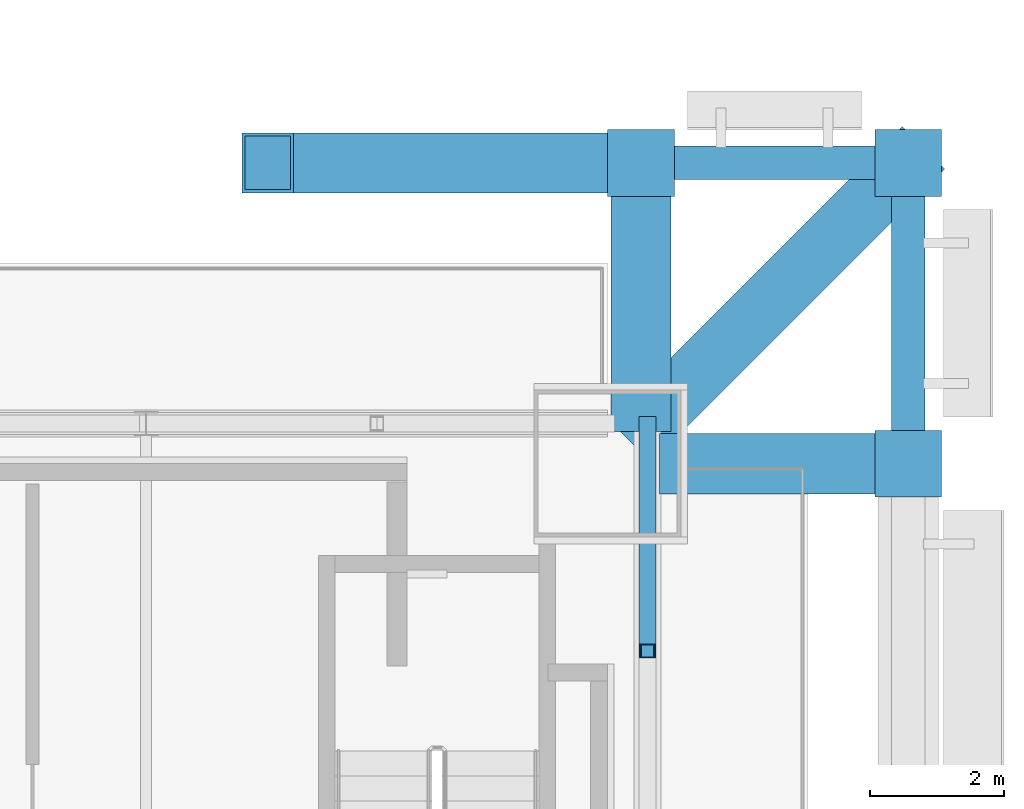
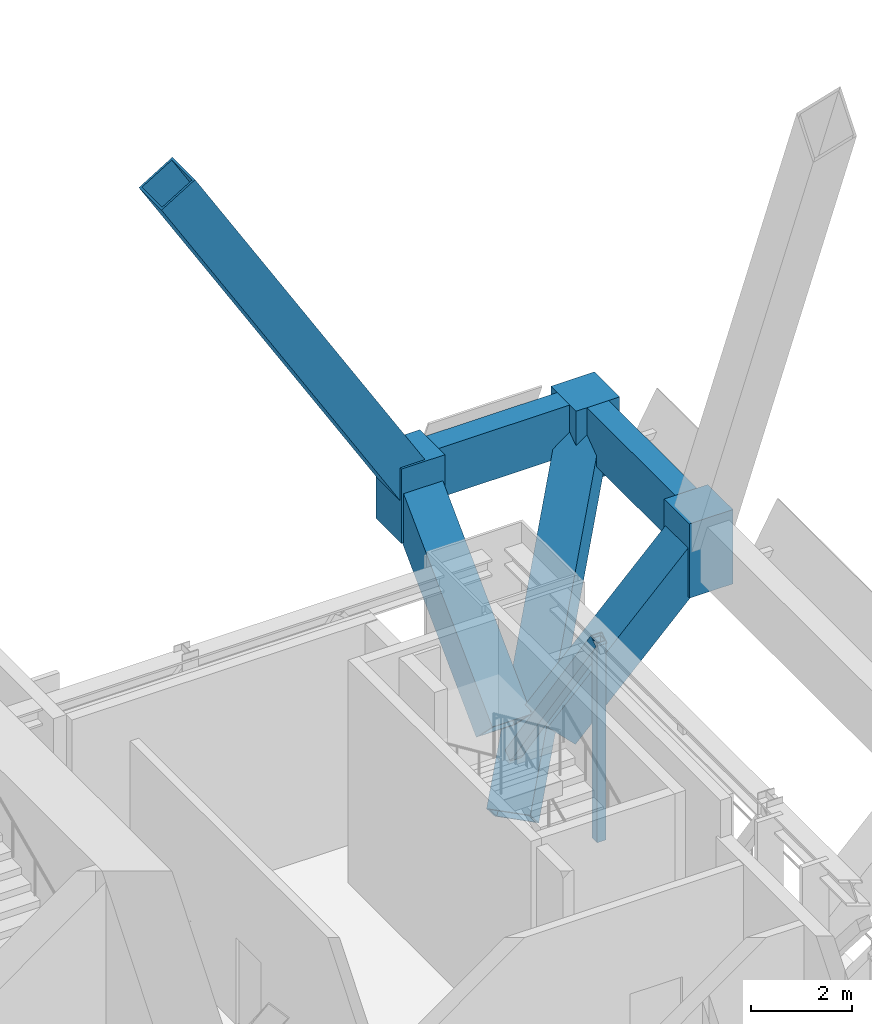
# One storey, part 19 of 30: 9 members, 2 beams.
"""IFC4 building model written with IfcOpenShell, lengths in metres."""

from ifc_helpers import new_model, si_unit, direction, frame, origin, origin_2d, place, context, subcontext, project, spatial, rectangle, hollow_rectangle, extrude, material, material_profile, profile_set, type_object, element, save


model = new_model("IFC4")

# Units and contexts
model_context = context("Model", 3, precision=1e-05, world=origin(), true_north=direction((0.0, 1.0)))
body_context = subcontext(model_context, "Body", "Model", "MODEL_VIEW")
ifc_project = project(units=[si_unit("LENGTHUNIT", "METRE"), si_unit("AREAUNIT", "SQUARE_METRE"), si_unit("VOLUMEUNIT", "CUBIC_METRE"), si_unit("PLANEANGLEUNIT", "RADIAN"), si_unit("MASSUNIT", "GRAM", prefix="KILO")], contexts=[model_context])

# Site, building, storey
site_placement = place(None, origin())
site = spatial("IfcSite", under=ifc_project, at=site_placement, CompositionType="ELEMENT")
building_placement = place(site_placement, origin())
building = spatial("IfcBuilding", under=site, at=building_placement, Name="Bicima Exchange Tower", CompositionType="ELEMENT")
storey_placement = place(building_placement, frame((0.0, 0.0, 287.60009765625)))
storey = spatial("IfcBuildingStorey", under=building, at=storey_placement, Name="L65", CompositionType="ELEMENT", Elevation=287.60009765625)

# Beams
ifc_material_1 = material(Name="Steel ASTM A572 Gr 50", Category="steel")
ifc_material_profile_1 = material_profile(ifc_material_1, hollow_rectangle(XDim=0.5, YDim=1.199951171875, WallThickness=0.0400390625, at=origin_2d()))
ifc_profile_set_1 = profile_set([ifc_material_profile_1], Name="Steel ASTM A572 Gr 50")
beam_type = type_object("IfcBeamType", Name="Belt girder BOX 500x1200x40", PredefinedType="BEAM", material=ifc_profile_set_1)
beam_1_placement = place(storey_placement, frame((37.5, -3.0, 4.64990234375), z_axis=(0.0, 1.0, 0.0), x_axis=(-1.0, 0.0, 0.0)))
element("IfcBeam", 1, at=beam_1_placement, inside=storey, type_object=beam_type, Name="Belt girder", PredefinedType="BEAM", context=body_context, shape_type="SweptSolid", body=[
    extrude(hollow_rectangle(XDim=0.5, YDim=1.199951171875, WallThickness=0.0400390625, at=origin_2d()), origin(), (0.0, 0.0, 1.0), 4.5),
])
beam_2_placement = place(storey_placement, frame((37.5, 1.5, 4.64990234375), z_axis=(-1.0, 0.0, 0.0), x_axis=(0.0, -1.0, 0.0)))
element("IfcBeam", 2, at=beam_2_placement, inside=storey, type_object=beam_type, Name="Belt girder", PredefinedType="BEAM", context=body_context, shape_type="SweptSolid", body=[
    extrude(hollow_rectangle(XDim=0.5, YDim=1.199951171875, WallThickness=0.0400390625, at=origin_2d()), origin(), (0.0, 0.0, 1.0), 4.0),
])

# Members
ifc_material_profile_2 = material_profile(ifc_material_1, hollow_rectangle(XDim=0.25390625, YDim=0.25390625, WallThickness=0.01171875, at=origin_2d()))
ifc_profile_set_2 = profile_set([ifc_material_profile_2], Name="Steel ASTM A572 Gr 50")
member_type_1 = type_object("IfcMemberType", Name="Belt truss diagonal HSS10x10x1/2", PredefinedType="STRUT", material=ifc_profile_set_2)
member_1_placement = place(storey_placement, frame((33.60009765625, -2.39990234375, 0.208251953125), z_axis=(0.0, -0.575376736325, 0.817888507864), x_axis=(1.0, 0.0, 0.0)))
element("IfcMember", 3, at=member_1_placement, inside=storey, type_object=member_type_1, Name="Truss diagonal", PredefinedType="STRUT", context=body_context, shape_type="SweptSolid", body=[
    extrude(hollow_rectangle(XDim=0.25390625, YDim=0.25390625, WallThickness=0.01171875, at=origin_2d()), origin(), (0.0, 0.0, 1.0), 5.909423828125),
])
ifc_material_profile_3 = material_profile(ifc_material_1, hollow_rectangle(XDim=0.203125, YDim=0.203125, WallThickness=0.01171875, at=origin_2d()))
ifc_profile_set_3 = profile_set([ifc_material_profile_3], Name="Steel ASTM A572 Gr 50")
member_type_2 = type_object("IfcMemberType", Name="Belt truss post HSS8x8x1/2", PredefinedType="POST", material=ifc_profile_set_3)
member_2_placement = place(storey_placement, frame((33.60009765625, -5.800048828125, 0.208251953125), z_axis=(0.0, 0.0, 1.0), x_axis=(1.0, 0.0, 0.0)))
element("IfcMember", 4, at=member_2_placement, inside=storey, type_object=member_type_2, Name="Truss post", PredefinedType="POST", context=body_context, shape_type="SweptSolid", body=[
    extrude(hollow_rectangle(XDim=0.203125, YDim=0.203125, WallThickness=0.01171875, at=origin_2d()), origin(), (0.0, 0.0, 1.0), 4.833251953125),
])
ifc_material_profile_4 = material_profile(ifc_material_1, hollow_rectangle(XDim=0.89990234375, YDim=0.89990234375, WallThickness=0.050048828125, at=origin_2d()))
ifc_profile_set_4 = profile_set([ifc_material_profile_4], Name="Steel ASTM A572 Gr 50")
member_type_3 = type_object("IfcMemberType", Name="Exo mega brace BOX 900x900x50", PredefinedType="BRACE", material=ifc_profile_set_4)
member_3_placement = place(storey_placement, frame((33.5, 1.5, 4.5), z_axis=(-0.521226887558, 0.0, 0.853418145862), x_axis=(0.0, -1.0, 0.0)))
element("IfcMember", 5, at=member_3_placement, inside=storey, type_object=member_type_3, Name="Exo mega brace rear", PredefinedType="BRACE", context=body_context, shape_type="SweptSolid", body=[
    extrude(hollow_rectangle(XDim=0.89990234375, YDim=0.89990234375, WallThickness=0.050048828125, at=origin_2d()), origin(), (0.0, 0.0, 1.0), 10.711669921875),
])
ifc_material_2 = material(Name="Cast steel ASTM A216 Gr WCB", Category="steel")
ifc_material_profile_5 = material_profile(ifc_material_2, rectangle(XDim=1.0, YDim=1.0, at=origin_2d()))
ifc_profile_set_5 = profile_set([ifc_material_profile_5], Name="Cast steel ASTM A216 Gr WCB")
member_type_4 = type_object("IfcMemberType", Name="Exo node block", PredefinedType="POST", material=ifc_profile_set_5)
for number, where, z_axis, x_axis, name in (
    (6, (37.5, -3.0, 3.449951171875), (0.0, 0.0, 1.0), (1.0, 0.0, 0.0), "Exo node block"),
    (7, (37.5, 1.5, 3.449951171875), (0.0, 0.0, 1.0), (1.0, 0.0, 0.0), "Exo node block"),
    (8, (33.5, 1.5, 3.449951171875), (0.0, 0.0, 1.0), (1.0, 0.0, 0.0), "Exo node block"),
):
    element("IfcMember", number, at=place(storey_placement, frame(where, z_axis=z_axis, x_axis=x_axis)), inside=storey, type_object=member_type_4, Name=name, PredefinedType="POST", context=body_context, shape_type="SweptSolid", body=[
        extrude(rectangle(XDim=1.0, YDim=1.0, at=origin_2d()), origin(), (0.0, 0.0, 1.0), 1.800048828125),
    ])
member_type_5 = type_object("IfcMemberType", Name="Exo outrigger stub BOX 900x900x50", PredefinedType="STRUT", material=ifc_profile_set_4)
member_4_placement = place(storey_placement, frame((34.10009765625, -3.0, 1.099853515625), z_axis=(0.707081393635, 0.0, 0.707132167827), x_axis=(0.0, 1.0, 0.0)))
element("IfcMember", 9, at=member_4_placement, inside=storey, type_object=member_type_5, Name="Exo outrigger stub", PredefinedType="STRUT", context=body_context, shape_type="SweptSolid", body=[
    extrude(hollow_rectangle(XDim=0.89990234375, YDim=0.89990234375, WallThickness=0.050048828125, at=origin_2d()), origin(), (0.0, 0.0, 1.0), 4.808349609375),
])
member_5_placement = place(storey_placement, frame((33.565673828125, -2.434326171875, -1.26416015625), z_axis=(0.491087687466, 0.491087687466, 0.719489934911), x_axis=(-0.707106781187, 0.707106781187, 0.0)))
element("IfcMember", 10, at=member_5_placement, inside=storey, type_object=member_type_5, Name="Exo outrigger stub", PredefinedType="STRUT", context=body_context, shape_type="SweptSolid", body=[
    extrude(hollow_rectangle(XDim=0.89990234375, YDim=0.89990234375, WallThickness=0.050048828125, at=origin_2d()), origin(), (0.0, 0.0, 1.0), 8.011474609375),
])
member_6_placement = place(storey_placement, frame((33.5, -2.199951171875, 0.7998046875), z_axis=(0.0, 0.707083452413, 0.70713010919), x_axis=(-1.0, 0.0, 0.0)))
element("IfcMember", 11, at=member_6_placement, inside=storey, type_object=member_type_5, Name="Exo outrigger stub", PredefinedType="STRUT", context=body_context, shape_type="SweptSolid", body=[
    extrude(hollow_rectangle(XDim=0.89990234375, YDim=0.89990234375, WallThickness=0.050048828125, at=origin_2d()), origin(), (0.0, 0.0, 1.0), 5.232666015625),
])

save(model, "model.ifc")
